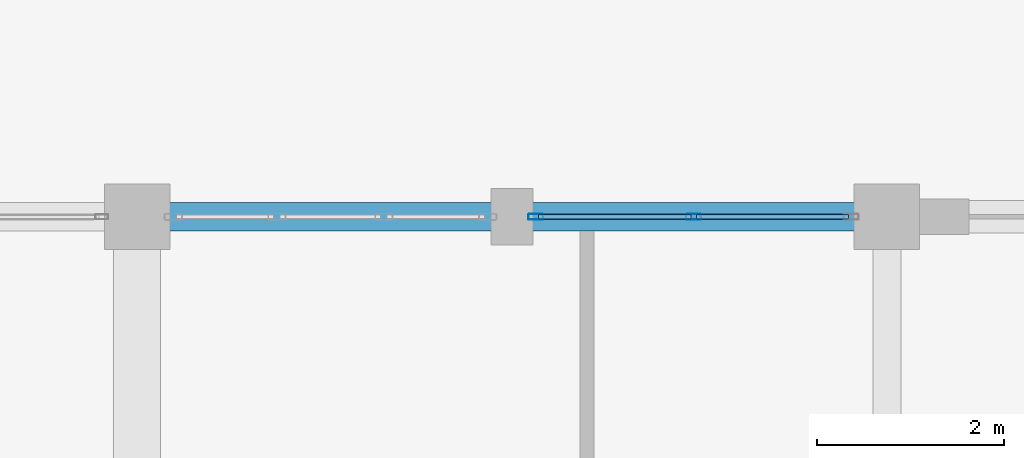
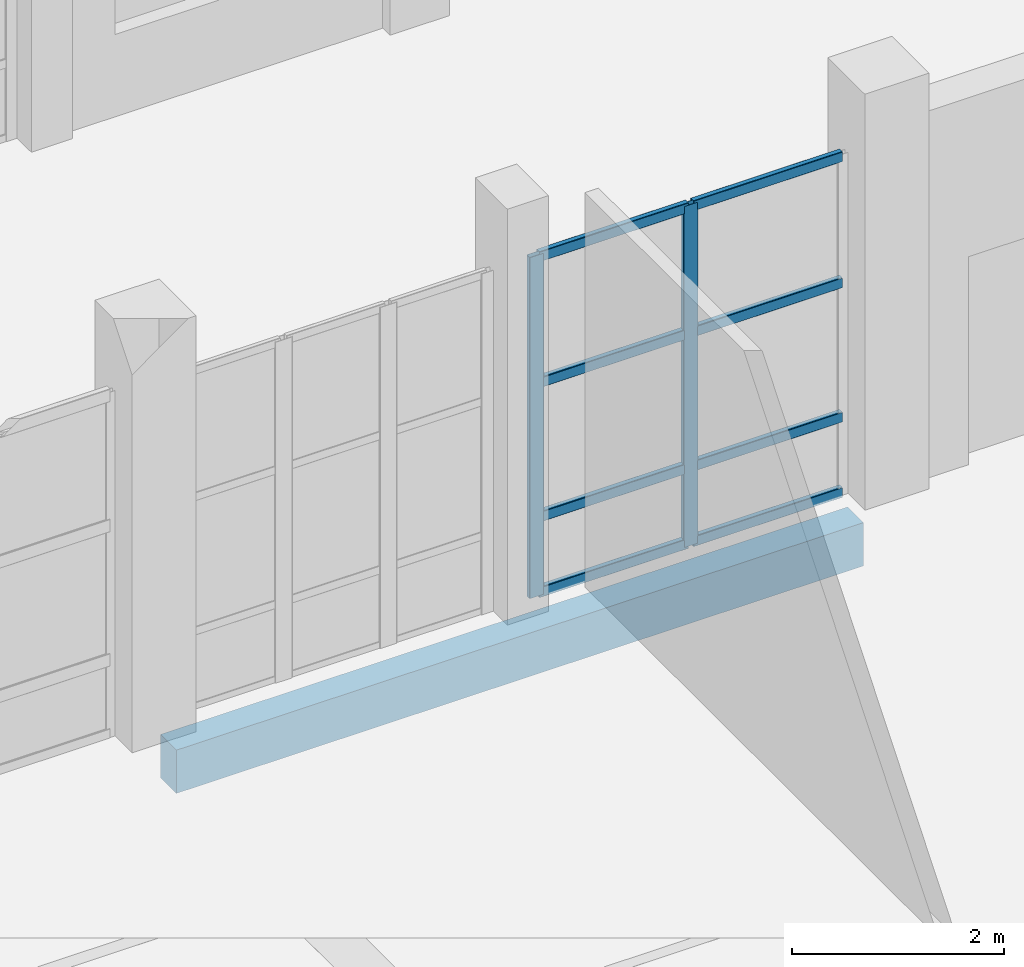
# One storey, part 13 of 156: 10 members, 1 beam, 1 element without a shape of its own.
"""IFC4 building model written with IfcOpenShell, lengths in metres."""

from ifc_helpers import new_model, si_unit, direction, frame, origin, origin_2d, place, context, subcontext, project, spatial, rectangle, hollow_rectangle, extrude, material, material_profile, profile_set, type_object, element, aggregate, save


model = new_model("IFC4")

# Units and contexts
model_context = context("Model", 3, precision=1e-05, world=origin(), true_north=direction((0.0, 1.0)))
body_context = subcontext(model_context, "Body", "Model", "MODEL_VIEW")
ifc_project = project(units=[si_unit("LENGTHUNIT", "METRE"), si_unit("AREAUNIT", "SQUARE_METRE"), si_unit("VOLUMEUNIT", "CUBIC_METRE"), si_unit("PLANEANGLEUNIT", "RADIAN"), si_unit("MASSUNIT", "GRAM", prefix="KILO")], contexts=[model_context])

# Site, building, storey
site_placement = place(None, origin())
site = spatial("IfcSite", under=ifc_project, at=site_placement, CompositionType="ELEMENT")
building_placement = place(site_placement, origin())
building = spatial("IfcBuilding", under=site, at=building_placement, Name="Luwemba Playhouse", CompositionType="ELEMENT")
storey_placement = place(building_placement, origin())
storey = spatial("IfcBuildingStorey", under=building, at=storey_placement, Name="L00", CompositionType="ELEMENT", Elevation=0.0)

# Beam
ifc_material_1 = material(Name="Concrete C40/50", Category="concrete")
ifc_material_profile_1 = material_profile(ifc_material_1, rectangle(XDim=0.300048828125, YDim=0.5, at=origin_2d()))
ifc_profile_set_1 = profile_set([ifc_material_profile_1], Name="Concrete C40/50")
beam_type = type_object("IfcBeamType", Name="BM-SP1", PredefinedType="SPANDREL", material=ifc_profile_set_1)
beam_placement = place(storey_placement, frame((12.25, 27.0, -0.550048828125), z_axis=(1.0, 0.0, 0.0), x_axis=(0.0, 1.0, 0.0)))
element("IfcBeam", 1, at=beam_placement, inside=storey, type_object=beam_type, Name="L00 grid girder 0172", PredefinedType="SPANDREL", context=body_context, shape_type="SweptSolid", body=[
    extrude(rectangle(XDim=0.300048828125, YDim=0.5, at=origin_2d()), origin(), (0.0, 0.0, 1.0), 7.5),
])

# Curtain wall, members
ifc_material_2 = material(Name="Solar-control double glazing", Category="glass")
curtain_wall_type = type_object("IfcCurtainWallType", Name="CW-CW28", PredefinedType="USERDEFINED", material=ifc_material_2)
curtain_wall_placement = place(storey_placement, origin())
curtain_wall = element("IfcCurtainWall", 2, at=curtain_wall_placement, inside=storey, type_object=curtain_wall_type, Name="L00 V5W unitised curtain wall 031", ObjectType="UNITISED GLAZING", PredefinedType="USERDEFINED")
ifc_material_3 = material(Name="Aluminium 6063-T6", Category="aluminium")
ifc_material_profile_2 = material_profile(ifc_material_3, hollow_rectangle(XDim=0.06005859375, YDim=0.159912109375, WallThickness=0.00390625, InnerFilletRadius=0.006103515625, OuterFilletRadius=0.010009765625, at=origin_2d()))
ifc_profile_set_2 = profile_set([ifc_material_profile_2], Name="Aluminium 6063-T6")
member_type_1 = type_object("IfcMemberType", Name="CWM-M1", PredefinedType="MULLION", material=ifc_profile_set_2)
member_1_placement = place(storey_placement, frame((16.2548828125, 27.0, 0.0), z_axis=(0.0, 0.0, 1.0), x_axis=(0.0, 1.0, 0.0)))
member_1 = element("IfcMember", 3, at=member_1_placement, type_object=member_type_1, Name="CW28 mullion 1", PredefinedType="MULLION", context=body_context, shape_type="SweptSolid", body=[
    extrude(hollow_rectangle(XDim=0.06005859375, YDim=0.159912109375, WallThickness=0.00390625, InnerFilletRadius=0.006103515625, OuterFilletRadius=0.010009765625, at=origin_2d()), origin(), (0.0, 0.0, 1.0), 3.93505859375),
])
member_2_placement = place(storey_placement, frame((17.9375, 27.0, 0.0), z_axis=(0.0, 0.0, 1.0), x_axis=(0.0, 1.0, 0.0)))
member_2 = element("IfcMember", 4, at=member_2_placement, type_object=member_type_1, Name="CW28 mullion 2", PredefinedType="MULLION", context=body_context, shape_type="SweptSolid", body=[
    extrude(hollow_rectangle(XDim=0.06005859375, YDim=0.159912109375, WallThickness=0.00390625, InnerFilletRadius=0.006103515625, OuterFilletRadius=0.010009765625, at=origin_2d()), origin(), (0.0, 0.0, 1.0), 3.93505859375),
])
ifc_material_profile_3 = material_profile(ifc_material_3, hollow_rectangle(XDim=0.06005859375, YDim=0.1201171875, WallThickness=0.00390625, InnerFilletRadius=0.006103515625, OuterFilletRadius=0.010009765625, at=origin_2d()))
ifc_profile_set_3 = profile_set([ifc_material_profile_3], Name="Aluminium 6063-T6")
member_type_2 = type_object("IfcMemberType", Name="CWT-T1", PredefinedType="USERDEFINED", material=ifc_profile_set_3)
member_3_placement = place(storey_placement, frame((16.284912109375, 27.0, 0.030029296875), z_axis=(1.0, 0.0, 0.0), x_axis=(0.0, 1.0, 0.0)))
member_3 = element("IfcMember", 5, at=member_3_placement, type_object=member_type_2, Name="CW28 transom 1.1", ObjectType="TRANSOM", PredefinedType="USERDEFINED", context=body_context, shape_type="SweptSolid", body=[
    extrude(hollow_rectangle(XDim=0.06005859375, YDim=0.1201171875, WallThickness=0.00390625, InnerFilletRadius=0.006103515625, OuterFilletRadius=0.010009765625, at=origin_2d()), origin(), (0.0, 0.0, 1.0), 1.62255859375),
])
member_4_placement = place(storey_placement, frame((16.284912109375, 27.0, 0.89990234375), z_axis=(1.0, 0.0, 0.0), x_axis=(0.0, 1.0, 0.0)))
member_4 = element("IfcMember", 6, at=member_4_placement, type_object=member_type_2, Name="CW28 transom 1.2", ObjectType="TRANSOM", PredefinedType="USERDEFINED", context=body_context, shape_type="SweptSolid", body=[
    extrude(hollow_rectangle(XDim=0.06005859375, YDim=0.1201171875, WallThickness=0.00390625, InnerFilletRadius=0.006103515625, OuterFilletRadius=0.010009765625, at=origin_2d()), origin(), (0.0, 0.0, 1.0), 1.62255859375),
])
member_5_placement = place(storey_placement, frame((16.284912109375, 27.0, 2.449951171875), z_axis=(1.0, 0.0, 0.0), x_axis=(0.0, 1.0, 0.0)))
member_5 = element("IfcMember", 7, at=member_5_placement, type_object=member_type_2, Name="CW28 transom 1.3", ObjectType="TRANSOM", PredefinedType="USERDEFINED", context=body_context, shape_type="SweptSolid", body=[
    extrude(hollow_rectangle(XDim=0.06005859375, YDim=0.1201171875, WallThickness=0.00390625, InnerFilletRadius=0.006103515625, OuterFilletRadius=0.010009765625, at=origin_2d()), origin(), (0.0, 0.0, 1.0), 1.62255859375),
])
member_6_placement = place(storey_placement, frame((16.284912109375, 27.0, 3.905029296875), z_axis=(1.0, 0.0, 0.0), x_axis=(0.0, 1.0, 0.0)))
member_6 = element("IfcMember", 8, at=member_6_placement, type_object=member_type_2, Name="CW28 transom 1.4", ObjectType="TRANSOM", PredefinedType="USERDEFINED", context=body_context, shape_type="SweptSolid", body=[
    extrude(hollow_rectangle(XDim=0.06005859375, YDim=0.1201171875, WallThickness=0.00390625, InnerFilletRadius=0.006103515625, OuterFilletRadius=0.010009765625, at=origin_2d()), origin(), (0.0, 0.0, 1.0), 1.62255859375),
])
member_7_placement = place(storey_placement, frame((17.967529296875, 27.0, 0.030029296875), z_axis=(1.0, 0.0, 0.0), x_axis=(0.0, 1.0, 0.0)))
member_7 = element("IfcMember", 9, at=member_7_placement, type_object=member_type_2, Name="CW28 transom 2.1", ObjectType="TRANSOM", PredefinedType="USERDEFINED", context=body_context, shape_type="SweptSolid", body=[
    extrude(hollow_rectangle(XDim=0.06005859375, YDim=0.1201171875, WallThickness=0.00390625, InnerFilletRadius=0.006103515625, OuterFilletRadius=0.010009765625, at=origin_2d()), origin(), (0.0, 0.0, 1.0), 1.62255859375),
])
member_8_placement = place(storey_placement, frame((17.967529296875, 27.0, 0.89990234375), z_axis=(1.0, 0.0, 0.0), x_axis=(0.0, 1.0, 0.0)))
member_8 = element("IfcMember", 10, at=member_8_placement, type_object=member_type_2, Name="CW28 transom 2.2", ObjectType="TRANSOM", PredefinedType="USERDEFINED", context=body_context, shape_type="SweptSolid", body=[
    extrude(hollow_rectangle(XDim=0.06005859375, YDim=0.1201171875, WallThickness=0.00390625, InnerFilletRadius=0.006103515625, OuterFilletRadius=0.010009765625, at=origin_2d()), origin(), (0.0, 0.0, 1.0), 1.62255859375),
])
member_9_placement = place(storey_placement, frame((17.967529296875, 27.0, 2.449951171875), z_axis=(1.0, 0.0, 0.0), x_axis=(0.0, 1.0, 0.0)))
member_9 = element("IfcMember", 11, at=member_9_placement, type_object=member_type_2, Name="CW28 transom 2.3", ObjectType="TRANSOM", PredefinedType="USERDEFINED", context=body_context, shape_type="SweptSolid", body=[
    extrude(hollow_rectangle(XDim=0.06005859375, YDim=0.1201171875, WallThickness=0.00390625, InnerFilletRadius=0.006103515625, OuterFilletRadius=0.010009765625, at=origin_2d()), origin(), (0.0, 0.0, 1.0), 1.62255859375),
])
member_10_placement = place(storey_placement, frame((17.967529296875, 27.0, 3.905029296875), z_axis=(1.0, 0.0, 0.0), x_axis=(0.0, 1.0, 0.0)))
member_10 = element("IfcMember", 12, at=member_10_placement, type_object=member_type_2, Name="CW28 transom 2.4", ObjectType="TRANSOM", PredefinedType="USERDEFINED", context=body_context, shape_type="SweptSolid", body=[
    extrude(hollow_rectangle(XDim=0.06005859375, YDim=0.1201171875, WallThickness=0.00390625, InnerFilletRadius=0.006103515625, OuterFilletRadius=0.010009765625, at=origin_2d()), origin(), (0.0, 0.0, 1.0), 1.62255859375),
])
aggregate(curtain_wall, [member_1, member_2, member_3, member_4, member_5, member_6, member_7, member_8, member_9, member_10])

save(model, "model.ifc")
